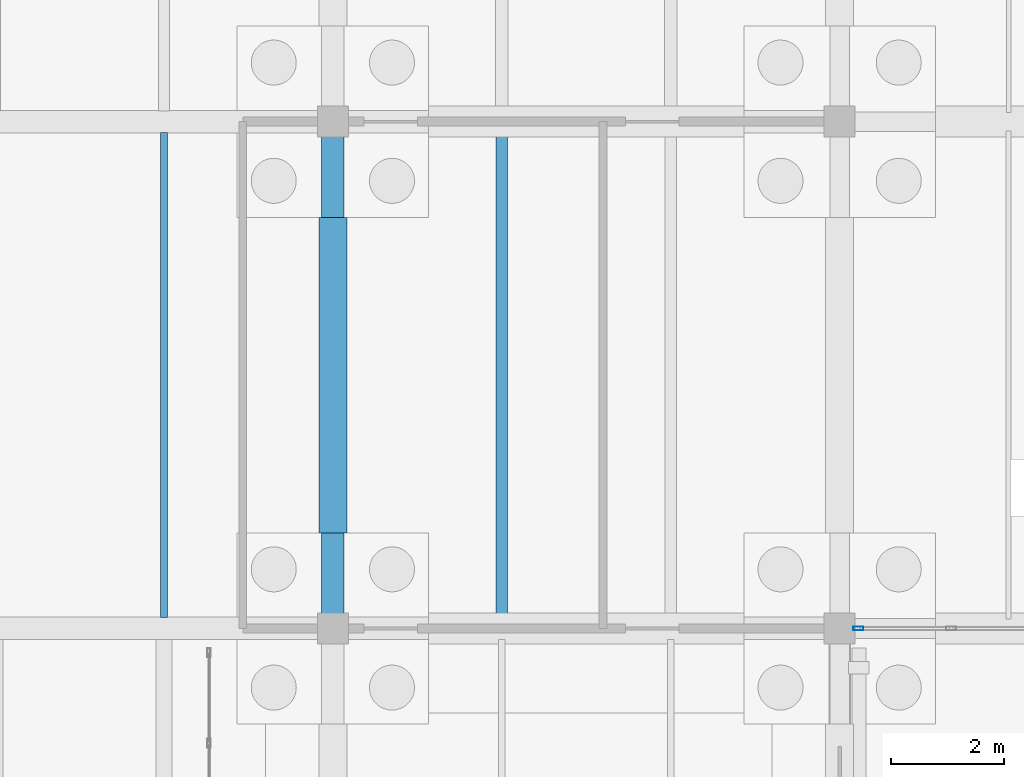
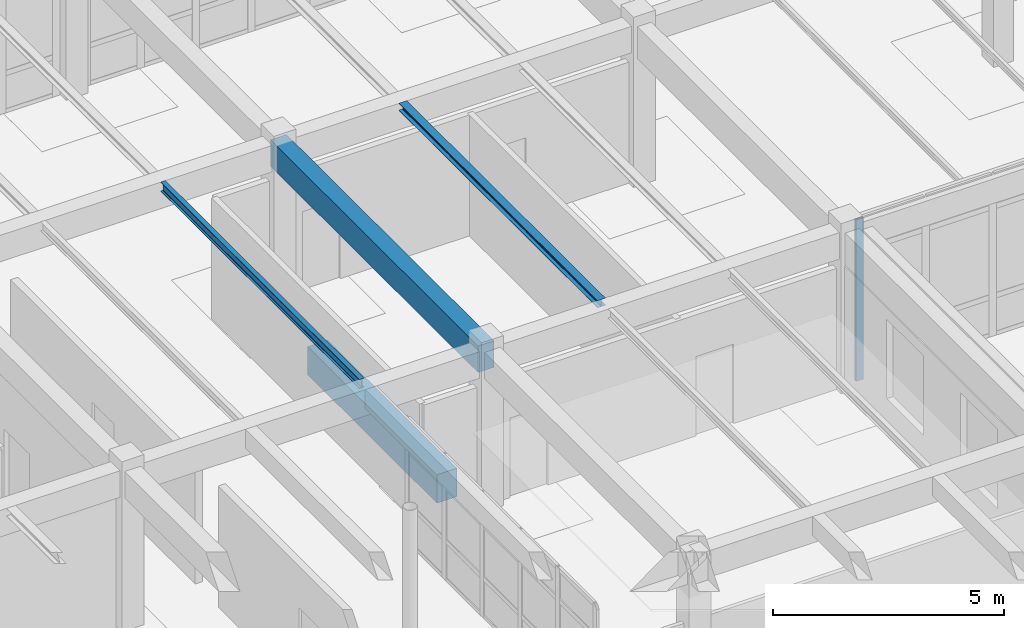
# One storey, part 57 of 186: 4 beams, 1 member, 1 element without a shape of its own.
"""IFC4 building model written with IfcOpenShell, lengths in metres."""

from ifc_helpers import new_model, si_unit, direction, frame, origin, origin_2d, place, context, subcontext, project, spatial, rectangle, hollow_rectangle, i_section, extrude, material, layer, layer_set, material_profile, profile_set, type_object, element, aggregate, save


model = new_model("IFC4")

# Units and contexts
model_context = context("Model", 3, precision=1e-05, world=origin(), true_north=direction((0.0, 1.0)))
body_context = subcontext(model_context, "Body", "Model", "MODEL_VIEW")
ifc_project = project(units=[si_unit("LENGTHUNIT", "METRE"), si_unit("AREAUNIT", "SQUARE_METRE"), si_unit("VOLUMEUNIT", "CUBIC_METRE"), si_unit("PLANEANGLEUNIT", "RADIAN"), si_unit("MASSUNIT", "GRAM", prefix="KILO")], contexts=[model_context])

# Site, building, storey
site_placement = place(None, origin())
site = spatial("IfcSite", under=ifc_project, at=site_placement, CompositionType="ELEMENT")
building_placement = place(site_placement, origin())
building = spatial("IfcBuilding", under=site, at=building_placement, Name="Ornek Quay Market", CompositionType="ELEMENT")
storey_placement = place(building_placement, origin())
storey = spatial("IfcBuildingStorey", under=building, at=storey_placement, Name="L00", CompositionType="ELEMENT", Elevation=0.0)

# Beams
ifc_material_1 = material(Name="Concrete C35/45", Category="concrete")
ifc_material_profile_1 = material_profile(ifc_material_1, rectangle(XDim=0.5, YDim=0.75, at=origin_2d()), Name="RC 500x750", Category="concrete")
ifc_profile_set_1 = profile_set([ifc_material_profile_1], Name="Concrete C35/45")
beam_type_1 = type_object("IfcBeamType", Name="BM-GB-500x750", PredefinedType="BEAM", material=ifc_profile_set_1)
beam_1_placement = place(storey_placement, frame((18.0, 93.699951171875, -0.574951171875), z_axis=(0.0, 1.0, 0.0), x_axis=(-1.0, 0.0, 0.0)))
element("IfcBeam", 1, at=beam_1_placement, inside=storey, type_object=beam_type_1, Name="Ground tie beam GB-074", PredefinedType="BEAM", context=body_context, shape_type="SweptSolid", body=[
    extrude(rectangle(XDim=0.5, YDim=0.75, at=origin_2d()), origin(), (0.0, 0.0, 1.0), 5.60009765625),
])
ifc_material_2 = material(Name="Steel S355", Category="steel")
ifc_material_profile_2 = material_profile(ifc_material_2, i_section(OverallWidth=0.199951171875, OverallDepth=0.18994140625, WebThickness=0.006591796875, FlangeThickness=0.010009765625, FilletRadius=0.01806640625, at=origin_2d()), Name="HEA 200", Category="steel")
ifc_profile_set_2 = profile_set([ifc_material_profile_2], Name="Steel S355")
beam_type_2 = type_object("IfcBeamType", Name="BM-STL-HEA200", PredefinedType="BEAM", material=ifc_profile_set_2)
beam_2_placement = place(storey_placement, frame((21.0, 92.19189453125, 4.125), z_axis=(0.0, 1.0, 0.0), x_axis=(-1.0, 0.0, 0.0)))
element("IfcBeam", 2, at=beam_2_placement, inside=storey, type_object=beam_type_2, Name="Secondary joist SB-12-013", PredefinedType="BEAM", context=body_context, shape_type="SweptSolid", body=[
    extrude(i_section(OverallWidth=0.199951171875, OverallDepth=0.18994140625, WebThickness=0.006591796875, FlangeThickness=0.010009765625, FilletRadius=0.01806640625, at=origin_2d()), origin(), (0.0, 0.0, 1.0), 8.6162109375),
])
ifc_material_profile_3 = material_profile(ifc_material_2, i_section(OverallWidth=0.1201171875, OverallDepth=0.239990234375, WebThickness=0.006103515625, FlangeThickness=0.009765625, FilletRadius=0.014892578125, at=origin_2d()), Name="IPE 240", Category="steel")
ifc_profile_set_3 = profile_set([ifc_material_profile_3], Name="Steel S355")
beam_type_3 = type_object("IfcBeamType", Name="BM-STL-IPE240", PredefinedType="JOIST", material=ifc_profile_set_3)
beam_3_placement = place(storey_placement, frame((15.0, 92.19189453125, 4.10009765625), z_axis=(0.0, 1.0, 0.0), x_axis=(-1.0, 0.0, 0.0)))
element("IfcBeam", 3, at=beam_3_placement, inside=storey, type_object=beam_type_3, Name="Secondary joist SB-04-012", PredefinedType="JOIST", context=body_context, shape_type="SweptSolid", body=[
    extrude(i_section(OverallWidth=0.1201171875, OverallDepth=0.239990234375, WebThickness=0.006103515625, FlangeThickness=0.009765625, FilletRadius=0.014892578125, at=origin_2d()), origin(), (0.0, 0.0, 1.0), 8.6162109375),
])
ifc_material_profile_4 = material_profile(ifc_material_1, rectangle(XDim=0.39990234375, YDim=0.699951171875, at=origin_2d()), Name="RC 400x700", Category="concrete")
ifc_profile_set_4 = profile_set([ifc_material_profile_4], Name="Concrete C35/45")
beam_type_4 = type_object("IfcBeamType", Name="BM-WW-400x700", PredefinedType="BEAM", material=ifc_profile_set_4)
beam_4_placement = place(storey_placement, frame((18.0, 92.0, 3.8701171875), z_axis=(0.0, 1.0, 0.0), x_axis=(-1.0, 0.0, 0.0)))
element("IfcBeam", 4, at=beam_4_placement, inside=storey, type_object=beam_type_4, Name="Primary beam B-WW1-046", PredefinedType="BEAM", context=body_context, shape_type="SweptSolid", body=[
    extrude(rectangle(XDim=0.39990234375, YDim=0.699951171875, at=origin_2d()), origin(), (0.0, 0.0, 1.0), 9.0),
])

# Curtain wall, member
ifc_material_3 = material(Name="Anodised bronze aluminium and triple low-e glass", Category="aluminium")
ifc_layer = layer(ifc_material_3, 0.199951171875, Name="Anodised bronze aluminium and triple low-e glass", Category="aluminium")
ifc_layer_set = layer_set([ifc_layer], Name="Anodised bronze aluminium and triple low-e glass")
curtain_wall_type = type_object("IfcCurtainWallType", Name="CW-CONC-MOD1800", PredefinedType="USERDEFINED", material=ifc_layer_set)
curtain_wall_placement = place(storey_placement, origin())
curtain_wall = element("IfcCurtainWall", 5, at=curtain_wall_placement, inside=storey, type_object=curtain_wall_type, Name="Curtain wall CW-006", ObjectType="CURTAIN WALL", PredefinedType="USERDEFINED")
ifc_material_4 = material(Name="Anodised aluminium 6063-T6", Category="aluminium")
ifc_material_profile_5 = material_profile(ifc_material_4, hollow_rectangle(XDim=0.06494140625, YDim=0.179931640625, WallThickness=0.00439453125, at=origin_2d()), Name="CW-MUL-65x180", Category="aluminium")
ifc_profile_set_5 = profile_set([ifc_material_profile_5], Name="Anodised aluminium 6063-T6")
member_type = type_object("IfcMemberType", Name="CW-MUL-65x180", PredefinedType="MULLION", material=ifc_profile_set_5)
member_placement = place(storey_placement, frame((27.33251953125, 92.0, 0.0), z_axis=(0.0, 0.0, 1.0), x_axis=(0.0, 1.0, 0.0)))
member = element("IfcMember", 6, at=member_placement, type_object=member_type, Name="CW-006 mullion 1", PredefinedType="MULLION", context=body_context, shape_type="SweptSolid", body=[
    extrude(hollow_rectangle(XDim=0.06494140625, YDim=0.179931640625, WallThickness=0.00439453125, at=origin_2d()), origin(), (0.0, 0.0, 1.0), 4.27001953125),
])
aggregate(curtain_wall, [member])

save(model, "model.ifc")
